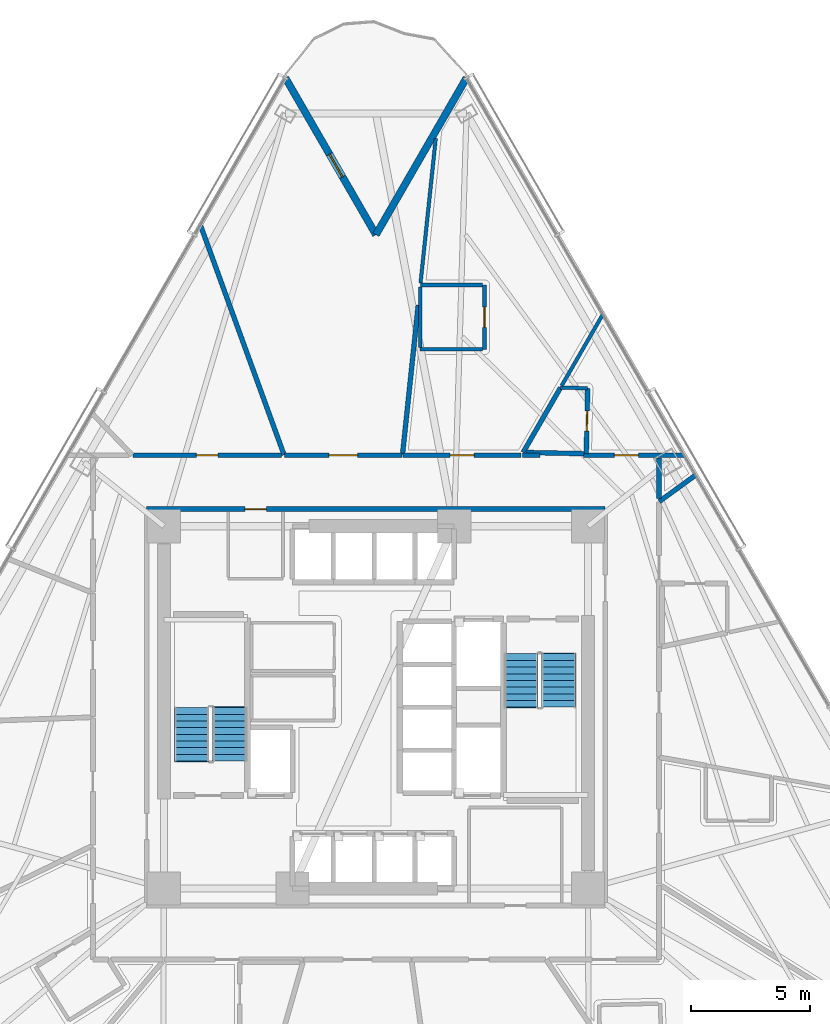
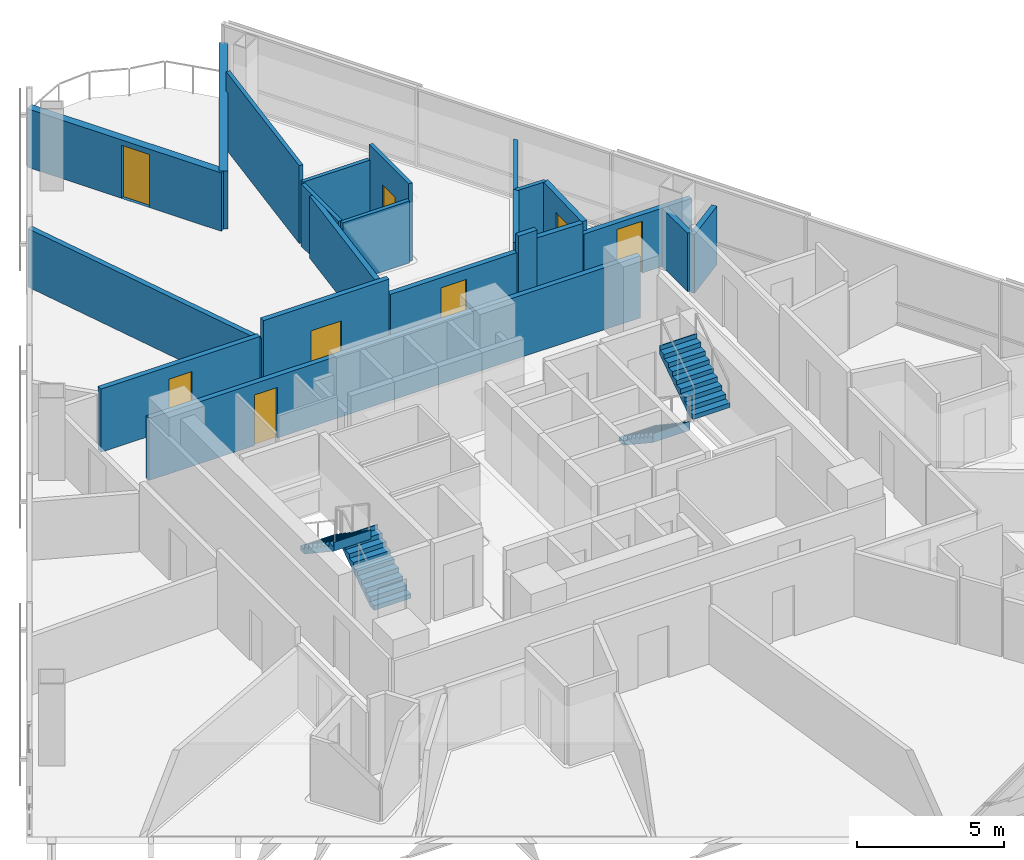
# One storey, part 10 of 17: 22 walls, 8 doors, 4 stair flights, 8 openings, 2 elements without a shape of their own.
"""IFC4 building model written with IfcOpenShell, lengths in metres."""

from ifc_helpers import new_model, si_unit, direction, frame, frame_2d, origin, place, context, subcontext, project, spatial, polyline, rectangle, outline, extrude, material, layer, layer_set, type_object, element, fill, aggregate, save


model = new_model("IFC4")

# Units and contexts
model_context = context("Model", 3, precision=1e-05, world=origin(), true_north=direction((0.0, 1.0)))
body_context = subcontext(model_context, "Body", "Model", "MODEL_VIEW")
ifc_project = project(units=[si_unit("LENGTHUNIT", "METRE"), si_unit("AREAUNIT", "SQUARE_METRE"), si_unit("VOLUMEUNIT", "CUBIC_METRE"), si_unit("PLANEANGLEUNIT", "RADIAN"), si_unit("MASSUNIT", "GRAM", prefix="KILO")], contexts=[model_context])

# Site, building, storey
site_placement = place(None, origin())
site = spatial("IfcSite", under=ifc_project, at=site_placement, CompositionType="ELEMENT")
building_placement = place(site_placement, origin())
building = spatial("IfcBuilding", under=site, at=building_placement, Name="Tharavind Bronze Gate", CompositionType="ELEMENT")
storey_placement = place(building_placement, frame((0.0, 0.0, 35.25)))
storey = spatial("IfcBuildingStorey", under=building, at=storey_placement, Name="L07", CompositionType="ELEMENT", Elevation=35.25)

# Wall
ifc_material_1 = material(Name="Concrete C40/50", Category="concrete")
ifc_layer_1 = layer(ifc_material_1, 0.300048828125)
ifc_layer_set_1 = layer_set([ifc_layer_1], Name="Concrete C40/50")
wall_type_1 = type_object("IfcWallType", Name="EXTERIOR SPANDREL WALL 300", PredefinedType="STANDARD", material=ifc_layer_set_1)
wall_1_placement = place(storey_placement, frame((3.800048828125, 26.418212890625, 0.0), z_axis=(0.0, 0.0, 1.0), x_axis=(-0.500005158081, -0.866022425744, 0.0)))
element("IfcWall", 1, at=wall_1_placement, inside=storey, type_object=wall_type_1, Name="L07 notch cheek wall 1A", PredefinedType="STANDARD", context=body_context, shape_type="SweptSolid", body=[
    extrude(rectangle(XDim=7.60009765625, YDim=0.300048828125, at=frame_2d((3.800048828125, 0.0))), origin(), (0.0, 0.0, 1.0), 2.419921875),
])

# Wall, opening, door
wall_2_placement = place(storey_placement, frame((0.0, 19.83642578125, 0.0), z_axis=(0.0, 0.0, 1.0), x_axis=(-0.500005158081, 0.866022425744, 0.0)))
wall_2 = element("IfcWall", 2, at=wall_2_placement, inside=storey, type_object=wall_type_1, Name="L07 notch cheek wall 1B", PredefinedType="STANDARD", context=body_context, shape_type="SweptSolid", body=[
    extrude(rectangle(XDim=7.60009765625, YDim=0.300048828125, at=frame_2d((3.800048828125, 0.0))), origin(), (0.0, 0.0, 1.0), 2.419921875),
])
opening_1_placement = place(wall_2_placement, frame((2.805908203125, 0.0, 0.0)))
opening_1 = element("IfcOpeningElement", 3, at=opening_1_placement, cuts=wall_2, Name="Opening ED04", PredefinedType="OPENING", context=body_context, shape_type="SweptSolid", body=[
    extrude(rectangle(XDim=1.10009765625, YDim=2.199951171875, at=frame_2d((0.550048828125, 1.10009765625))), frame((0.0, 0.15990234375, 0.0), z_axis=(0.0, -1.0, 0.0), x_axis=(1.0, 0.0, 0.0)), (0.0, 0.0, 1.0), 0.320048828125),
])
ifc_material_2 = material(Name="Bronze Aluminium & Toughened Glass", Category="aluminium")
door_type_1 = type_object("IfcDoorType", Name="TREE BALCONY ACCESS DOOR 1100X2200", OperationType="SINGLE_SWING_LEFT", PredefinedType="DOOR", material=ifc_material_2)
door_1_placement = place(opening_1_placement, frame((1.10009765625, 0.0, 0.0), z_axis=(0.0, 0.0, 1.0), x_axis=(-1.0, 0.0, 0.0)))
door_1 = element("IfcDoor", 4, at=door_1_placement, inside=storey, type_object=door_type_1, Name="L07 tree balcony access door", OperationType="SINGLE_SWING_LEFT", OverallHeight=2.199951171875, OverallWidth=1.10009765625, PredefinedType="DOOR", context=body_context, shape_type="SweptSolid", body=[
    extrude(rectangle(XDim=1.10009765625, YDim=2.199951171875, at=frame_2d((0.550048828125, 1.10009765625))), frame((0.0, 0.02490234375, 0.0), z_axis=(0.0, -1.0, 0.0), x_axis=(1.0, 0.0, 0.0)), (0.0, 0.0, 1.0), 0.050048828125),
])
fill(opening_1, door_1)

ifc_material_3 = material(Name="Aerated Concrete Block", Category="concrete")
ifc_layer_2 = layer(ifc_material_3, 0.199951171875)
ifc_layer_set_2 = layer_set([ifc_layer_2], Name="Aerated Concrete Block")
wall_type_2 = type_object("IfcWallType", Name="FIRE RATED PARTITION 200", PredefinedType="PARTITIONING", material=ifc_layer_set_2)
wall_3_placement = place(storey_placement, frame((9.6201171875, 8.320068359375, 0.0), z_axis=(0.0, 0.0, 1.0), x_axis=(-1.0, 0.0, 0.0)))
wall_3 = element("IfcWall", 5, at=wall_3_placement, inside=storey, type_object=wall_type_2, Name="L07 north core corridor wall", PredefinedType="PARTITIONING", context=body_context, shape_type="SweptSolid", body=[
    extrude(rectangle(XDim=19.240234375, YDim=0.199951171875, at=frame_2d((9.6201171875, 0.0))), origin(), (0.0, 0.0, 1.0), 2.570068359375),
])
opening_2_placement = place(wall_3_placement, frame((14.219970703125, 0.0, 0.0)))
opening_2 = element("IfcOpeningElement", 6, at=opening_2_placement, cuts=wall_3, Name="Opening ID07", PredefinedType="OPENING", context=body_context, shape_type="SweptSolid", body=[
    extrude(rectangle(XDim=0.89990234375, YDim=2.10009765625, at=frame_2d((0.449951171875, 1.050048828125))), frame((0.0, 0.11009765625, 0.0), z_axis=(0.0, -1.0, 0.0), x_axis=(1.0, 0.0, 0.0)), (0.0, 0.0, 1.0), 0.219951171875),
])
ifc_material_4 = material(Name="Galvanised Fire Steel", Category="steel")
door_type_2 = type_object("IfcDoorType", Name="PLANT AND RISER FIRE DOOR 900X2100", OperationType="SINGLE_SWING_LEFT", PredefinedType="DOOR", material=ifc_material_4)
door_2_placement = place(opening_2_placement, origin())
door_2 = element("IfcDoor", 7, at=door_2_placement, inside=storey, type_object=door_type_2, Name="L07 Electrical Switch Cupboard fire door", OperationType="SINGLE_SWING_LEFT", OverallHeight=2.10009765625, OverallWidth=0.89990234375, PredefinedType="DOOR", context=body_context, shape_type="SweptSolid", body=[
    extrude(rectangle(XDim=0.89990234375, YDim=2.10009765625, at=frame_2d((0.449951171875, 1.050048828125))), frame((0.0, 0.02490234375, 0.0), z_axis=(0.0, -1.0, 0.0), x_axis=(1.0, 0.0, 0.0)), (0.0, 0.0, 1.0), 0.050048828125),
])
fill(opening_2, door_2)

# Wall
wall_4_placement = place(storey_placement, frame((6.177490234375, 10.699951171875, 0.0), z_axis=(0.0, 0.0, 1.0), x_axis=(0.50003000113, 0.866008081931, 0.0)))
element("IfcWall", 8, at=wall_4_placement, inside=storey, type_object=wall_type_2, Name="L07 En-Suite Bathroom partition", PredefinedType="PARTITIONING", context=body_context, shape_type="SweptSolid", body=[
    extrude(rectangle(XDim=3.137939453125, YDim=0.199951171875, at=frame_2d((1.56884765625, 0.0))), origin(), (0.0, 0.0, 1.0), 2.820068359375),
])

# Wall, opening, door
wall_5_placement = place(storey_placement, frame((8.885009765625, 13.3935546875, 0.0), z_axis=(0.0, 0.0, 1.0), x_axis=(-0.021041428763, -0.99977860463, 0.0)))
wall_5 = element("IfcWall", 9, at=wall_5_placement, inside=storey, type_object=wall_type_2, Name="L07 En-Suite Bathroom partition", PredefinedType="PARTITIONING", context=body_context, shape_type="SweptSolid", body=[
    extrude(rectangle(XDim=2.749755859375, YDim=0.199951171875, at=frame_2d((1.375, 0.0))), origin(), (0.0, 0.0, 1.0), 2.820068359375),
])
opening_3_placement = place(wall_5_placement, frame((0.949951171875, 0.0, 0.0)))
opening_3 = element("IfcOpeningElement", 10, at=opening_3_placement, cuts=wall_5, Name="Opening ID06", PredefinedType="OPENING", context=body_context, shape_type="SweptSolid", body=[
    extrude(rectangle(XDim=0.85009765625, YDim=2.10009765625, at=frame_2d((0.425048828125, 1.050048828125))), frame((0.0, 0.11009765625, 0.0), z_axis=(0.0, -1.0, 0.0), x_axis=(1.0, 0.0, 0.0)), (0.0, 0.0, 1.0), 0.219951171875),
])
ifc_material_5 = material(Name="Moisture-Resistant Timber", Category="wood")
door_type_3 = type_object("IfcDoorType", Name="BATHROOM PRIVACY DOOR 850X2100", OperationType="SINGLE_SWING_RIGHT", PredefinedType="DOOR", material=ifc_material_5)
door_3_placement = place(opening_3_placement, origin())
door_3 = element("IfcDoor", 11, at=door_3_placement, inside=storey, type_object=door_type_3, Name="L07 En-Suite Bathroom door", OperationType="SINGLE_SWING_RIGHT", OverallHeight=2.10009765625, OverallWidth=0.85009765625, PredefinedType="DOOR", context=body_context, shape_type="SweptSolid", body=[
    extrude(rectangle(XDim=0.85009765625, YDim=2.10009765625, at=frame_2d((0.425048828125, 1.050048828125))), frame((0.0, 0.02490234375, 0.0), z_axis=(0.0, -1.0, 0.0), x_axis=(1.0, 0.0, 0.0)), (0.0, 0.0, 1.0), 0.050048828125),
])
fill(opening_3, door_3)

# Walls
wall_6_placement = place(storey_placement, frame((8.72216796875, 10.646484375, 0.0), z_axis=(0.0, 0.0, 1.0), x_axis=(-0.999778667622, 0.021038435515, 0.0)))
element("IfcWall", 12, at=wall_6_placement, inside=storey, type_object=wall_type_2, Name="L07 En-Suite Bathroom partition", PredefinedType="PARTITIONING", context=body_context, shape_type="SweptSolid", body=[
    extrude(rectangle(XDim=2.42529296875, YDim=0.199951171875, at=frame_2d((1.212646484375, 0.0))), origin(), (0.0, 0.0, 1.0), 2.820068359375),
])
wall_7_placement = place(storey_placement, frame((11.890380859375, 8.638916015625, 0.0), z_axis=(0.0, 0.0, 1.0), x_axis=(0.80903021321, 0.587767057697, 0.0)))
element("IfcWall", 13, at=wall_7_placement, inside=storey, type_object=wall_type_2, Name="L07 Hotel Deluxe Room partition", PredefinedType="PARTITIONING", context=body_context, shape_type="SweptSolid", body=[
    extrude(rectangle(XDim=1.86572265625, YDim=0.199951171875, at=frame_2d((0.932861328125, 0.0))), origin(), (0.0, 0.0, 1.0), 2.419921875),
])

# Wall, opening, door
wall_8_placement = place(storey_placement, frame((12.944091796875, 10.580078125, 0.0), z_axis=(0.0, 0.0, 1.0), x_axis=(-1.0, 0.0, 0.0)))
wall_8 = element("IfcWall", 14, at=wall_8_placement, inside=storey, type_object=wall_type_2, Name="L07 Hotel Guest Room partition", PredefinedType="PARTITIONING", context=body_context, shape_type="SweptSolid", body=[
    extrude(rectangle(XDim=4.223388671875, YDim=0.199951171875, at=frame_2d((2.11181640625, 0.0))), origin(), (0.0, 0.0, 1.0), 2.419921875),
])
opening_4_placement = place(wall_8_placement, frame((1.93408203125, 0.0, 0.0)))
opening_4 = element("IfcOpeningElement", 15, at=opening_4_placement, cuts=wall_8, Name="Opening ID03", PredefinedType="OPENING", context=body_context, shape_type="SweptSolid", body=[
    extrude(rectangle(XDim=1.0, YDim=2.14990234375, at=frame_2d((0.5, 1.074951171875))), frame((0.0, 0.11009765625, 0.0), z_axis=(0.0, -1.0, 0.0), x_axis=(1.0, 0.0, 0.0)), (0.0, 0.0, 1.0), 0.219951171875),
])
ifc_material_6 = material(Name="Solid Timber Veneer", Category="wood")
door_type_4 = type_object("IfcDoorType", Name="HOTEL SUITE ENTRANCE DOOR 1000X2150", OperationType="SINGLE_SWING_LEFT", PredefinedType="DOOR", material=ifc_material_6)
door_4_placement = place(opening_4_placement, origin())
door_4 = element("IfcDoor", 16, at=door_4_placement, inside=storey, type_object=door_type_4, Name="L07 Hotel Guest Room door", OperationType="SINGLE_SWING_LEFT", OverallHeight=2.14990234375, OverallWidth=1.0, PredefinedType="DOOR", context=body_context, shape_type="SweptSolid", body=[
    extrude(rectangle(XDim=1.0, YDim=2.14990234375, at=frame_2d((0.5, 1.074951171875))), frame((0.0, 0.02490234375, 0.0), z_axis=(0.0, -1.0, 0.0), x_axis=(1.0, 0.0, 0.0)), (0.0, 0.0, 1.0), 0.050048828125),
])
fill(opening_4, door_4)

# Walls
wall_9_placement = place(storey_placement, frame((6.889404296875, 10.580078125, 0.0), z_axis=(0.0, 0.0, 1.0), x_axis=(-1.0, 0.0, 0.0)))
element("IfcWall", 17, at=wall_9_placement, inside=storey, type_object=wall_type_2, Name="L07 Hotel Guest Room partition", PredefinedType="PARTITIONING", context=body_context, shape_type="SweptSolid", body=[
    extrude(rectangle(XDim=0.73779296875, YDim=0.199951171875, at=frame_2d((0.368896484375, 0.0))), origin(), (0.0, 0.0, 1.0), 3.22509765625),
])
wall_10_placement = place(storey_placement, frame((11.8798828125, 8.760986328125, 0.0), z_axis=(0.0, 0.0, 1.0), x_axis=(0.0, 1.0, 0.0)))
element("IfcWall", 18, at=wall_10_placement, inside=storey, type_object=wall_type_2, Name="L07 Hotel Guest Room partition", PredefinedType="PARTITIONING", context=body_context, shape_type="SweptSolid", body=[
    extrude(rectangle(XDim=1.714111328125, YDim=0.199951171875, at=frame_2d((0.85693359375, 0.0))), origin(), (0.0, 0.0, 1.0), 2.419921875),
])

# Wall, opening, door
wall_11_placement = place(storey_placement, frame((6.093994140625, 10.580078125, 0.0), z_axis=(0.0, 0.0, 1.0), x_axis=(-1.0, 0.0, 0.0)))
wall_11 = element("IfcWall", 19, at=wall_11_placement, inside=storey, type_object=wall_type_2, Name="L07 Hotel Guest Room partition", PredefinedType="PARTITIONING", context=body_context, shape_type="SweptSolid", body=[
    extrude(rectangle(XDim=4.9541015625, YDim=0.199951171875, at=frame_2d((2.47705078125, 0.0))), origin(), (0.0, 0.0, 1.0), 2.570068359375),
])
opening_5_placement = place(wall_11_placement, frame((1.97705078125, 0.0, 0.0)))
opening_5 = element("IfcOpeningElement", 20, at=opening_5_placement, cuts=wall_11, Name="Opening ID03", PredefinedType="OPENING", context=body_context, shape_type="SweptSolid", body=[
    extrude(rectangle(XDim=1.0, YDim=2.14990234375, at=frame_2d((0.5, 1.074951171875))), frame((0.0, 0.11009765625, 0.0), z_axis=(0.0, -1.0, 0.0), x_axis=(1.0, 0.0, 0.0)), (0.0, 0.0, 1.0), 0.219951171875),
])
door_5_placement = place(opening_5_placement, origin())
door_5 = element("IfcDoor", 21, at=door_5_placement, inside=storey, type_object=door_type_4, Name="L07 Hotel Guest Room door", OperationType="SINGLE_SWING_LEFT", OverallHeight=2.14990234375, OverallWidth=1.0, PredefinedType="DOOR", context=body_context, shape_type="SweptSolid", body=[
    extrude(rectangle(XDim=1.0, YDim=2.14990234375, at=frame_2d((0.5, 1.074951171875))), frame((0.0, 0.02490234375, 0.0), z_axis=(0.0, -1.0, 0.0), x_axis=(1.0, 0.0, 0.0)), (0.0, 0.0, 1.0), 0.050048828125),
])
fill(opening_5, door_5)

# Wall
wall_12_placement = place(storey_placement, frame((1.114990234375, 10.607666015625, 0.0), z_axis=(0.0, 0.0, 1.0), x_axis=(0.1045337987, 0.994521334577, 0.0)))
element("IfcWall", 22, at=wall_12_placement, inside=storey, type_object=wall_type_2, Name="L07 Hotel Guest Room partition", PredefinedType="PARTITIONING", context=body_context, shape_type="SweptSolid", body=[
    extrude(rectangle(XDim=6.31298828125, YDim=0.199951171875, at=frame_2d((3.156494140625, 0.0))), origin(), (0.0, 0.0, 1.0), 2.570068359375),
])

# Wall, opening, door
wall_13_placement = place(storey_placement, frame((1.089599609375, 10.580078125, 0.0), z_axis=(0.0, 0.0, 1.0), x_axis=(-1.0, 0.0, 0.0)))
wall_13 = element("IfcWall", 23, at=wall_13_placement, inside=storey, type_object=wall_type_2, Name="L07 Hotel Guest Lounge partition", PredefinedType="PARTITIONING", context=body_context, shape_type="SweptSolid", body=[
    extrude(rectangle(XDim=4.9228515625, YDim=0.199951171875, at=frame_2d((2.46142578125, 0.0))), origin(), (0.0, 0.0, 1.0), 3.22509765625),
])
opening_6_placement = place(wall_13_placement, frame((1.861083984375, 0.0, 0.0)))
opening_6 = element("IfcOpeningElement", 24, at=opening_6_placement, cuts=wall_13, Name="Opening ID05", PredefinedType="OPENING", context=body_context, shape_type="SweptSolid", body=[
    extrude(rectangle(XDim=1.199951171875, YDim=2.14990234375, at=frame_2d((0.60009765625, 1.074951171875))), frame((0.0, 0.11009765625, 0.0), z_axis=(0.0, -1.0, 0.0), x_axis=(1.0, 0.0, 0.0)), (0.0, 0.0, 1.0), 0.219951171875),
])
ifc_material_7 = material(Name="Acoustic Laminated Glass", Category="glass")
door_type_5 = type_object("IfcDoorType", Name="MEETING ROOM GLAZED DOOR 1200X2150", OperationType="SINGLE_SWING_LEFT", PredefinedType="DOOR", material=ifc_material_7)
door_6_placement = place(opening_6_placement, origin())
door_6 = element("IfcDoor", 25, at=door_6_placement, inside=storey, type_object=door_type_5, Name="L07 Hotel Guest Lounge door", OperationType="SINGLE_SWING_LEFT", OverallHeight=2.14990234375, OverallWidth=1.199951171875, PredefinedType="DOOR", context=body_context, shape_type="SweptSolid", body=[
    extrude(rectangle(XDim=1.199951171875, YDim=2.14990234375, at=frame_2d((0.60009765625, 1.074951171875))), frame((0.0, 0.02490234375, 0.0), z_axis=(0.0, -1.0, 0.0), x_axis=(1.0, 0.0, 0.0)), (0.0, 0.0, 1.0), 0.050048828125),
])
fill(opening_6, door_6)

# Wall
wall_14_placement = place(storey_placement, frame((-3.856689453125, 10.596435546875, 0.0), z_axis=(0.0, 0.0, 1.0), x_axis=(-0.342024148249, 0.939691163103, 0.0)))
element("IfcWall", 26, at=wall_14_placement, inside=storey, type_object=wall_type_2, Name="L07 Hotel Guest Lounge partition", PredefinedType="PARTITIONING", context=body_context, shape_type="SweptSolid", body=[
    extrude(rectangle(XDim=10.2509765625, YDim=0.199951171875, at=frame_2d((5.12548828125, 0.0))), origin(), (0.0, 0.0, 1.0), 2.419921875),
])

# Wall, opening, door
wall_15_placement = place(storey_placement, frame((-3.962646484375, 10.580078125, 0.0), z_axis=(0.0, 0.0, 1.0), x_axis=(-1.0, 0.0, 0.0)))
wall_15 = element("IfcWall", 27, at=wall_15_placement, inside=storey, type_object=wall_type_2, Name="L07 Housekeeping & Linen Room partition", PredefinedType="PARTITIONING", context=body_context, shape_type="SweptSolid", body=[
    extrude(rectangle(XDim=6.24365234375, YDim=0.199951171875, at=frame_2d((3.121826171875, 0.0))), origin(), (0.0, 0.0, 1.0), 2.6201171875),
])
opening_7_placement = place(wall_15_placement, frame((2.672119140625, 0.0, 0.0)))
opening_7 = element("IfcOpeningElement", 28, at=opening_7_placement, cuts=wall_15, Name="Opening ID07", PredefinedType="OPENING", context=body_context, shape_type="SweptSolid", body=[
    extrude(rectangle(XDim=0.89990234375, YDim=2.10009765625, at=frame_2d((0.449951171875, 1.050048828125))), frame((0.0, 0.11009765625, 0.0), z_axis=(0.0, -1.0, 0.0), x_axis=(1.0, 0.0, 0.0)), (0.0, 0.0, 1.0), 0.219951171875),
])
door_7_placement = place(opening_7_placement, origin())
door_7 = element("IfcDoor", 29, at=door_7_placement, inside=storey, type_object=door_type_2, Name="L07 Housekeeping & Linen Room door", OperationType="SINGLE_SWING_LEFT", OverallHeight=2.10009765625, OverallWidth=0.89990234375, PredefinedType="DOOR", context=body_context, shape_type="SweptSolid", body=[
    extrude(rectangle(XDim=0.89990234375, YDim=2.10009765625, at=frame_2d((0.449951171875, 1.050048828125))), frame((0.0, 0.02490234375, 0.0), z_axis=(0.0, -1.0, 0.0), x_axis=(1.0, 0.0, 0.0)), (0.0, 0.0, 1.0), 0.050048828125),
])
fill(opening_7, door_7)

# Wall
ifc_material_8 = material(Name="Twin Stud Acoustic Gypsum", Category="gypsum")
ifc_layer_3 = layer(ifc_material_8, 0.14990234375)
ifc_layer_set_3 = layer_set([ifc_layer_3], Name="Twin Stud Acoustic Gypsum")
wall_type_3 = type_object("IfcWallType", Name="INTERIOR PARTITION WALL 150", PredefinedType="PARTITIONING", material=ifc_layer_set_3)
wall_16_placement = place(storey_placement, frame((7.74658203125, 13.41748046875, 0.0), z_axis=(0.0, 0.0, 1.0), x_axis=(0.999779226224, -0.02101187308, 0.0)))
element("IfcWall", 30, at=wall_16_placement, inside=storey, type_object=wall_type_3, Name="L07 En-Suite Bathroom partition", PredefinedType="PARTITIONING", context=body_context, shape_type="SweptSolid", body=[
    extrude(rectangle(XDim=1.138671875, YDim=0.14990234375, at=frame_2d((0.5693359375, 0.0))), origin(), (0.0, 0.0, 1.0), 2.820068359375),
])

# Wall, opening, door
wall_17_placement = place(storey_placement, frame((4.5546875, 17.7255859375, 0.0), z_axis=(0.0, 0.0, 1.0), x_axis=(0.0, -1.0, 0.0)))
wall_17 = element("IfcWall", 31, at=wall_17_placement, inside=storey, type_object=wall_type_3, Name="L07 En-Suite Bathroom partition", PredefinedType="PARTITIONING", context=body_context, shape_type="SweptSolid", body=[
    extrude(rectangle(XDim=2.7001953125, YDim=0.14990234375, at=frame_2d((1.35009765625, 0.0))), origin(), (0.0, 0.0, 1.0), 3.22509765625),
])
opening_8_placement = place(wall_17_placement, frame((0.925048828125, 0.0, 0.0)))
opening_8 = element("IfcOpeningElement", 32, at=opening_8_placement, cuts=wall_17, Name="Opening ID06", PredefinedType="OPENING", context=body_context, shape_type="SweptSolid", body=[
    extrude(rectangle(XDim=0.85009765625, YDim=2.10009765625, at=frame_2d((0.425048828125, 1.050048828125))), frame((0.0, 0.084951171875, 0.0), z_axis=(0.0, -1.0, 0.0), x_axis=(1.0, 0.0, 0.0)), (0.0, 0.0, 1.0), 0.16990234375),
])
door_8_placement = place(opening_8_placement, origin())
door_8 = element("IfcDoor", 33, at=door_8_placement, inside=storey, type_object=door_type_3, Name="L07 En-Suite Bathroom door", OperationType="SINGLE_SWING_RIGHT", OverallHeight=2.10009765625, OverallWidth=0.85009765625, PredefinedType="DOOR", context=body_context, shape_type="SweptSolid", body=[
    extrude(rectangle(XDim=0.85009765625, YDim=2.10009765625, at=frame_2d((0.425048828125, 1.050048828125))), frame((0.0, 0.02490234375, 0.0), z_axis=(0.0, -1.0, 0.0), x_axis=(1.0, 0.0, 0.0)), (0.0, 0.0, 1.0), 0.050048828125),
])
fill(opening_8, door_8)

# Walls
wall_18_placement = place(storey_placement, frame((4.474853515625, 15.025390625, 0.0), z_axis=(0.0, 0.0, 1.0), x_axis=(-1.0, 0.0, 0.0)))
element("IfcWall", 34, at=wall_18_placement, inside=storey, type_object=wall_type_3, Name="L07 En-Suite Bathroom partition", PredefinedType="PARTITIONING", context=body_context, shape_type="SweptSolid", body=[
    extrude(rectangle(XDim=2.6201171875, YDim=0.14990234375, at=frame_2d((1.31005859375, 0.0))), origin(), (0.0, 0.0, 1.0), 2.570068359375),
])
wall_19_placement = place(storey_placement, frame((1.854736328125, 15.10546875, 0.0), z_axis=(0.0, 0.0, 1.0), x_axis=(0.0, 1.0, 0.0)))
element("IfcWall", 35, at=wall_19_placement, inside=storey, type_object=wall_type_3, Name="L07 En-Suite Bathroom partition", PredefinedType="PARTITIONING", context=body_context, shape_type="SweptSolid", body=[
    extrude(rectangle(XDim=2.541748046875, YDim=0.14990234375, at=frame_2d((1.27099609375, 0.0))), origin(), (0.0, 0.0, 1.0), 2.570068359375),
])
wall_20_placement = place(storey_placement, frame((1.863037109375, 17.7255859375, 0.0), z_axis=(0.0, 0.0, 1.0), x_axis=(1.0, 0.0, 0.0)))
element("IfcWall", 36, at=wall_20_placement, inside=storey, type_object=wall_type_3, Name="L07 En-Suite Bathroom partition", PredefinedType="PARTITIONING", context=body_context, shape_type="SweptSolid", body=[
    extrude(rectangle(XDim=2.61181640625, YDim=0.14990234375, at=frame_2d((1.305908203125, 0.0))), origin(), (0.0, 0.0, 1.0), 2.6201171875),
])
wall_21_placement = place(storey_placement, frame((7.792236328125, 13.49658203125, 0.0), z_axis=(0.0, 0.0, 1.0), x_axis=(0.500023071514, 0.86601208303, 0.0)))
element("IfcWall", 37, at=wall_21_placement, inside=storey, type_object=wall_type_3, Name="L07 Hotel Guest Room partition", PredefinedType="PARTITIONING", context=body_context, shape_type="SweptSolid", body=[
    extrude(rectangle(XDim=3.468017578125, YDim=0.14990234375, at=frame_2d((1.73388671875, 0.0))), origin(), (0.0, 0.0, 1.0), 2.419921875),
])
wall_22_placement = place(storey_placement, frame((1.871337890625, 17.805419921875, 0.0), z_axis=(0.0, 0.0, 1.0), x_axis=(0.104534786906, 0.994521230707, 0.0)))
element("IfcWall", 38, at=wall_22_placement, inside=storey, type_object=wall_type_3, Name="L07 Hotel Guest Room partition", PredefinedType="PARTITIONING", context=body_context, shape_type="SweptSolid", body=[
    extrude(rectangle(XDim=6.100341796875, YDim=0.14990234375, at=frame_2d((3.05029296875, 0.0))), origin(), (0.0, 0.0, 1.0), 3.22509765625),
])

# Stair, stair flights
stair_type = type_object("IfcStairType", Name="CORE HALF TURN STAIR 1450", PredefinedType="HALF_TURN_STAIR", material=ifc_material_1)
stair_1_placement = place(storey_placement, origin())
stair_1 = element("IfcStair", 39, at=stair_1_placement, inside=storey, type_object=stair_type, Name="L07 Protected Exit Stair ST1", PredefinedType="HALF_TURN_STAIR")
stair_flight_type = type_object("IfcStairFlightType", Name="CORE STAIR FLIGHT 1450", PredefinedType="STRAIGHT", material=ifc_material_1)
stair_flight_1_placement = place(storey_placement, frame((-6.125, -2.25, 0.0), z_axis=(0.0, 0.0, 1.0), x_axis=(0.0, 1.0, 0.0)))
stair_flight_1 = element("IfcStairFlight", 40, at=stair_flight_1_placement, type_object=stair_flight_type, Name="ST1 flight 1", NumberOfRisers=9, NumberOfTreads=8, PredefinedType="STRAIGHT", RiserHeight=0.188888889, TreadLength=0.28, context=body_context, shape_type="SweptSolid", body=[
    extrude(outline(polyline([(0.0, 0.0), (0.0, 0.18896484375), (0.280029296875, 0.18896484375), (0.280029296875, 0.377685546875), (0.56005859375, 0.377685546875), (0.56005859375, 0.566650390625), (0.840087890625, 0.566650390625), (0.840087890625, 0.755615234375), (1.1201171875, 0.755615234375), (1.1201171875, 0.9443359375), (1.39990234375, 0.9443359375), (1.39990234375, 1.13330078125), (1.679931640625, 1.13330078125), (1.679931640625, 1.322265625), (1.9599609375, 1.322265625), (1.9599609375, 1.51123046875), (2.239990234375, 1.51123046875), (2.239990234375, 1.699951171875), (2.27587890625, 1.699951171875), (2.27587890625, 1.330322265625), (0.26806640625, 0.0), (0.0, 0.0)])), frame((0.0, 0.72509765625, 0.0), z_axis=(0.0, -1.0, 0.0), x_axis=(1.0, 0.0, 0.0)), (0.0, 0.0, 1.0), 1.449951171875),
])
stair_flight_2_placement = place(storey_placement, frame((-7.72509765625, -0.010009765625, 1.699951171875), z_axis=(0.0, 0.0, 1.0), x_axis=(0.0, -1.0, 0.0)))
stair_flight_2 = element("IfcStairFlight", 41, at=stair_flight_2_placement, type_object=stair_flight_type, Name="ST1 flight 2", NumberOfRisers=9, NumberOfTreads=8, PredefinedType="STRAIGHT", RiserHeight=0.188888889, TreadLength=0.28, context=body_context, shape_type="SweptSolid", body=[
    extrude(outline(polyline([(0.0, 0.0), (0.0, 0.18896484375), (0.280029296875, 0.18896484375), (0.280029296875, 0.377685546875), (0.56005859375, 0.377685546875), (0.56005859375, 0.566650390625), (0.840087890625, 0.566650390625), (0.840087890625, 0.755615234375), (1.1201171875, 0.755615234375), (1.1201171875, 0.9443359375), (1.39990234375, 0.9443359375), (1.39990234375, 1.13330078125), (1.679931640625, 1.13330078125), (1.679931640625, 1.322265625), (1.9599609375, 1.322265625), (1.9599609375, 1.51123046875), (2.239990234375, 1.51123046875), (2.239990234375, 1.699951171875), (2.27587890625, 1.699951171875), (2.27587890625, 1.330322265625), (0.26806640625, 0.0), (0.0, 0.0)])), frame((0.0, 0.72509765625, 0.0), z_axis=(0.0, -1.0, 0.0), x_axis=(1.0, 0.0, 0.0)), (0.0, 0.0, 1.0), 1.449951171875),
])
aggregate(stair_1, [stair_flight_1, stair_flight_2])

stair_2_placement = place(storey_placement, origin())
stair_2 = element("IfcStair", 42, at=stair_2_placement, inside=storey, type_object=stair_type, Name="L07 Protected Exit Stair ST2", PredefinedType="HALF_TURN_STAIR")
stair_flight_3_placement = place(storey_placement, frame((6.074951171875, 2.25, 0.0), z_axis=(0.0, 0.0, 1.0), x_axis=(0.0, -1.0, 0.0)))
stair_flight_3 = element("IfcStairFlight", 43, at=stair_flight_3_placement, type_object=stair_flight_type, Name="ST2 flight 1", NumberOfRisers=9, NumberOfTreads=8, PredefinedType="STRAIGHT", RiserHeight=0.188888889, TreadLength=0.28, context=body_context, shape_type="SweptSolid", body=[
    extrude(outline(polyline([(0.0, 0.0), (0.0, 0.18896484375), (0.280029296875, 0.18896484375), (0.280029296875, 0.377685546875), (0.56005859375, 0.377685546875), (0.56005859375, 0.566650390625), (0.840087890625, 0.566650390625), (0.840087890625, 0.755615234375), (1.1201171875, 0.755615234375), (1.1201171875, 0.9443359375), (1.39990234375, 0.9443359375), (1.39990234375, 1.13330078125), (1.679931640625, 1.13330078125), (1.679931640625, 1.322265625), (1.9599609375, 1.322265625), (1.9599609375, 1.51123046875), (2.239990234375, 1.51123046875), (2.239990234375, 1.699951171875), (2.27587890625, 1.699951171875), (2.27587890625, 1.330322265625), (0.26806640625, 0.0), (0.0, 0.0)])), frame((0.0, 0.72509765625, 0.0), z_axis=(0.0, -1.0, 0.0), x_axis=(1.0, 0.0, 0.0)), (0.0, 0.0, 1.0), 1.449951171875),
])
stair_flight_4_placement = place(storey_placement, frame((7.675048828125, 0.010009765625, 1.699951171875), z_axis=(0.0, 0.0, 1.0), x_axis=(0.0, 1.0, 0.0)))
stair_flight_4 = element("IfcStairFlight", 44, at=stair_flight_4_placement, type_object=stair_flight_type, Name="ST2 flight 2", NumberOfRisers=9, NumberOfTreads=8, PredefinedType="STRAIGHT", RiserHeight=0.188888889, TreadLength=0.28, context=body_context, shape_type="SweptSolid", body=[
    extrude(outline(polyline([(0.0, 0.0), (0.0, 0.18896484375), (0.280029296875, 0.18896484375), (0.280029296875, 0.377685546875), (0.56005859375, 0.377685546875), (0.56005859375, 0.566650390625), (0.840087890625, 0.566650390625), (0.840087890625, 0.755615234375), (1.1201171875, 0.755615234375), (1.1201171875, 0.9443359375), (1.39990234375, 0.9443359375), (1.39990234375, 1.13330078125), (1.679931640625, 1.13330078125), (1.679931640625, 1.322265625), (1.9599609375, 1.322265625), (1.9599609375, 1.51123046875), (2.239990234375, 1.51123046875), (2.239990234375, 1.699951171875), (2.27587890625, 1.699951171875), (2.27587890625, 1.330322265625), (0.26806640625, 0.0), (0.0, 0.0)])), frame((0.0, 0.72509765625, 0.0), z_axis=(0.0, -1.0, 0.0), x_axis=(1.0, 0.0, 0.0)), (0.0, 0.0, 1.0), 1.449951171875),
])
aggregate(stair_2, [stair_flight_3, stair_flight_4])

save(model, "model.ifc")
